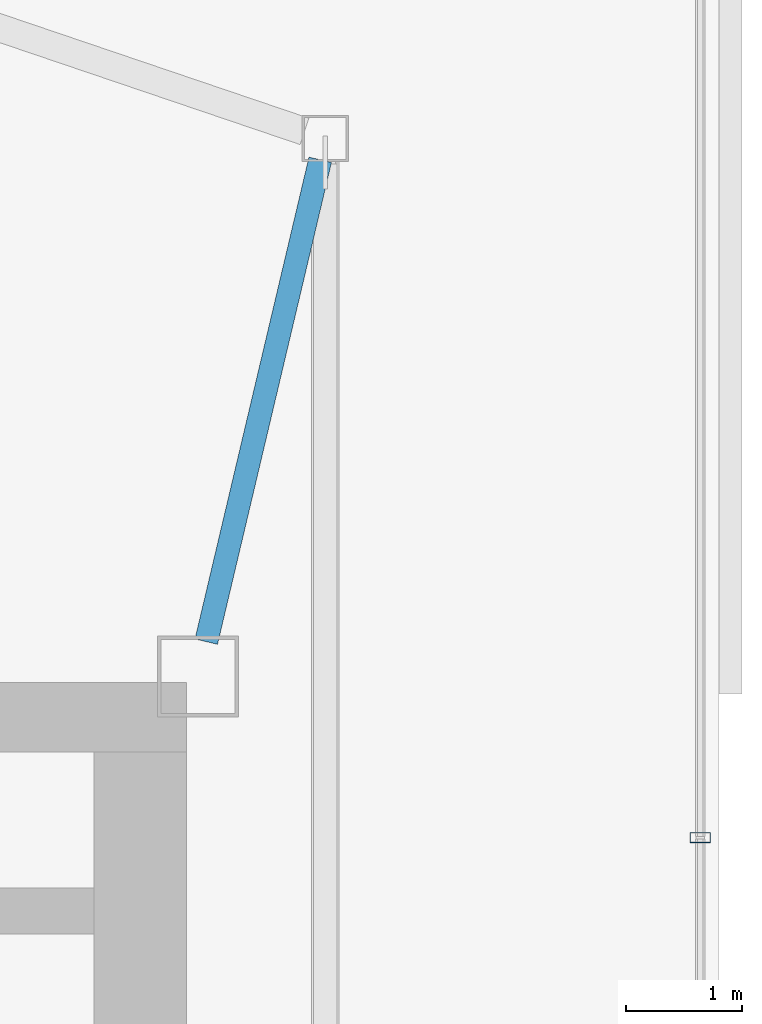
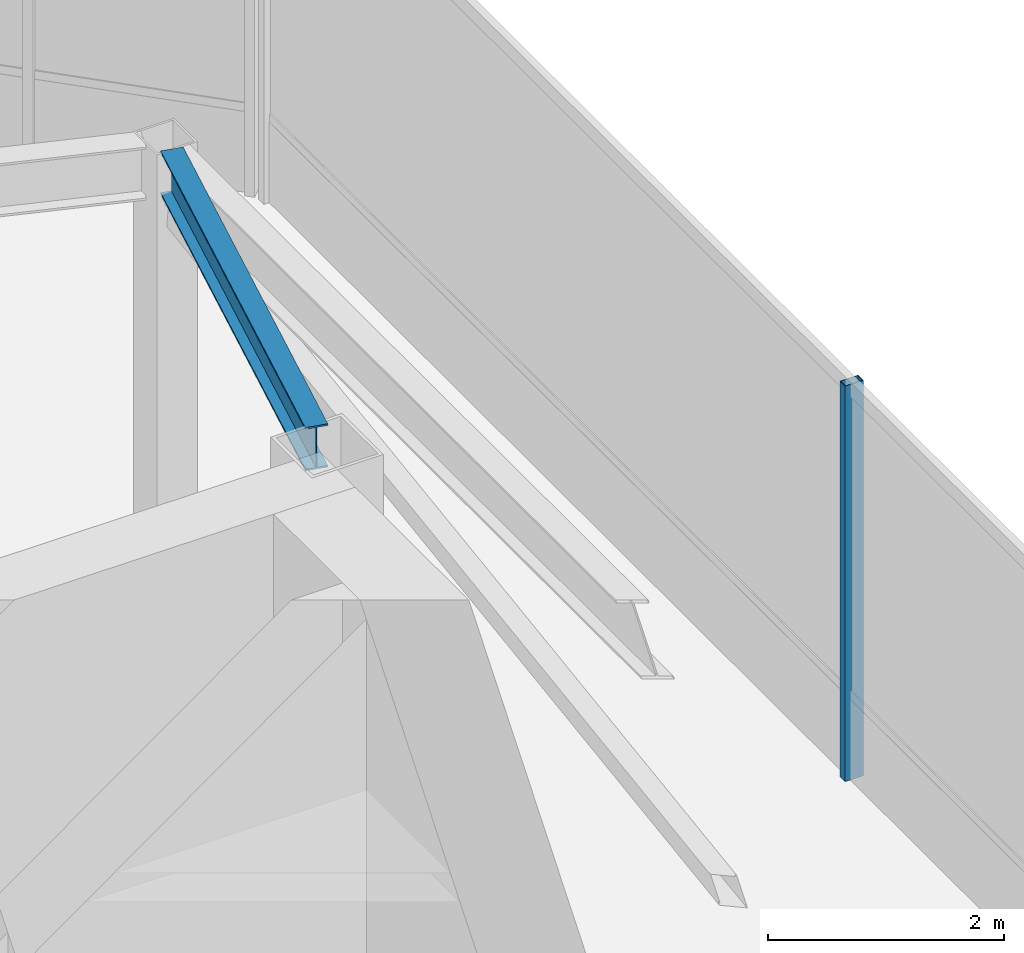
# One storey, part 12 of 21: 1 beam, 1 member, 1 element without a shape of its own.
"""IFC4 building model written with IfcOpenShell, lengths in metres."""

from ifc_helpers import new_model, si_unit, direction, frame, origin, origin_2d, place, context, subcontext, project, spatial, hollow_rectangle, i_section, extrude, material, layer, layer_set, material_profile, profile_set, type_object, element, aggregate, save


model = new_model("IFC4")

# Units and contexts
model_context = context("Model", 3, precision=1e-05, world=origin(), true_north=direction((0.0, 1.0)))
body_context = subcontext(model_context, "Body", "Model", "MODEL_VIEW")
ifc_project = project(units=[si_unit("LENGTHUNIT", "METRE"), si_unit("AREAUNIT", "SQUARE_METRE"), si_unit("VOLUMEUNIT", "CUBIC_METRE"), si_unit("PLANEANGLEUNIT", "RADIAN"), si_unit("MASSUNIT", "GRAM", prefix="KILO")], contexts=[model_context])

# Site, building, storey
site_placement = place(None, origin())
site = spatial("IfcSite", under=ifc_project, at=site_placement, CompositionType="ELEMENT")
building_placement = place(site_placement, origin())
building = spatial("IfcBuilding", under=site, at=building_placement, Name="Tavrogorsk Clinical Tower", CompositionType="ELEMENT")
storey_placement = place(building_placement, frame((0.0, 0.0, 344.199951171875)))
storey = spatial("IfcBuildingStorey", under=building, at=storey_placement, Name="L80", CompositionType="ELEMENT", Elevation=344.199951171875)

# Curtain wall, member
ifc_material_1 = material(Name="Anodised aluminium and triple IGU glazing", Category="aluminium")
ifc_layer = layer(ifc_material_1, 0.179931640625)
ifc_layer_set = layer_set([ifc_layer], Name="Anodised aluminium and triple IGU glazing")
curtain_wall_type = type_object("IfcCurtainWallType", Name="CW5_SkyLobby", PredefinedType="NOTDEFINED", material=ifc_layer_set)
curtain_wall_placement = place(storey_placement, origin())
curtain_wall = element("IfcCurtainWall", 1, at=curtain_wall_placement, inside=storey, type_object=curtain_wall_type, Name="L80 Curtain Wall CW-L80-DRUM-6", PredefinedType="NOTDEFINED")
ifc_material_2 = material(Name="Anodised aluminium alloy AW-6060", Category="aluminium")
ifc_material_profile_1 = material_profile(ifc_material_2, hollow_rectangle(XDim=0.090087890625, YDim=0.179931640625, WallThickness=0.00634765625, at=origin_2d()), Name="RHS-180x90x6.3")
ifc_profile_set_1 = profile_set([ifc_material_profile_1], Name="Anodised aluminium alloy AW-6060")
member_type = type_object("IfcMemberType", Name="CwMullion_180x90", PredefinedType="MULLION", material=ifc_profile_set_1)
member_placement = place(storey_placement, frame((26.43994140625, 4.9580078125, 0.0), z_axis=(0.0, 0.0, 1.0), x_axis=(0.0, -1.0, 0.0)))
member = element("IfcMember", 2, at=member_placement, type_object=member_type, Name="CW-L80-DRUM-6 Mullion 2", PredefinedType="MULLION", context=body_context, shape_type="SweptSolid", body=[
    extrude(hollow_rectangle(XDim=0.090087890625, YDim=0.179931640625, WallThickness=0.00634765625, at=origin_2d()), origin(), (0.0, 0.0, 1.0), 4.10009765625),
])
aggregate(curtain_wall, [member])

# Beam
ifc_material_3 = material(Name="Structural steel S355", Category="steel")
ifc_material_profile_2 = material_profile(ifc_material_3, i_section(OverallWidth=0.199951171875, OverallDepth=0.449951171875, WebThickness=0.011474609375, FlangeThickness=0.01806640625, at=origin_2d()), Name="B-450x200x11.5x18")
ifc_profile_set_2 = profile_set([ifc_material_profile_2], Name="Structural steel S355")
beam_type = type_object("IfcBeamType", Name="FloorBeam_B450", PredefinedType="BEAM", material=ifc_profile_set_2)
beam_placement = place(storey_placement, frame((22.17138671875, 6.651611328125, 3.875), z_axis=(0.230190528398, 0.973145580392, 0.0), x_axis=(-0.973145580392, 0.230190528398, 0.0)))
element("IfcBeam", 3, at=beam_placement, inside=storey, type_object=beam_type, Name="L80 Crown Radial Beam 05", PredefinedType="BEAM", context=body_context, shape_type="SweptSolid", body=[
    extrude(i_section(OverallWidth=0.199951171875, OverallDepth=0.449951171875, WebThickness=0.011474609375, FlangeThickness=0.01806640625, at=origin_2d()), origin(), (0.0, 0.0, 1.0), 4.278564453125),
])

save(model, "model.ifc")
